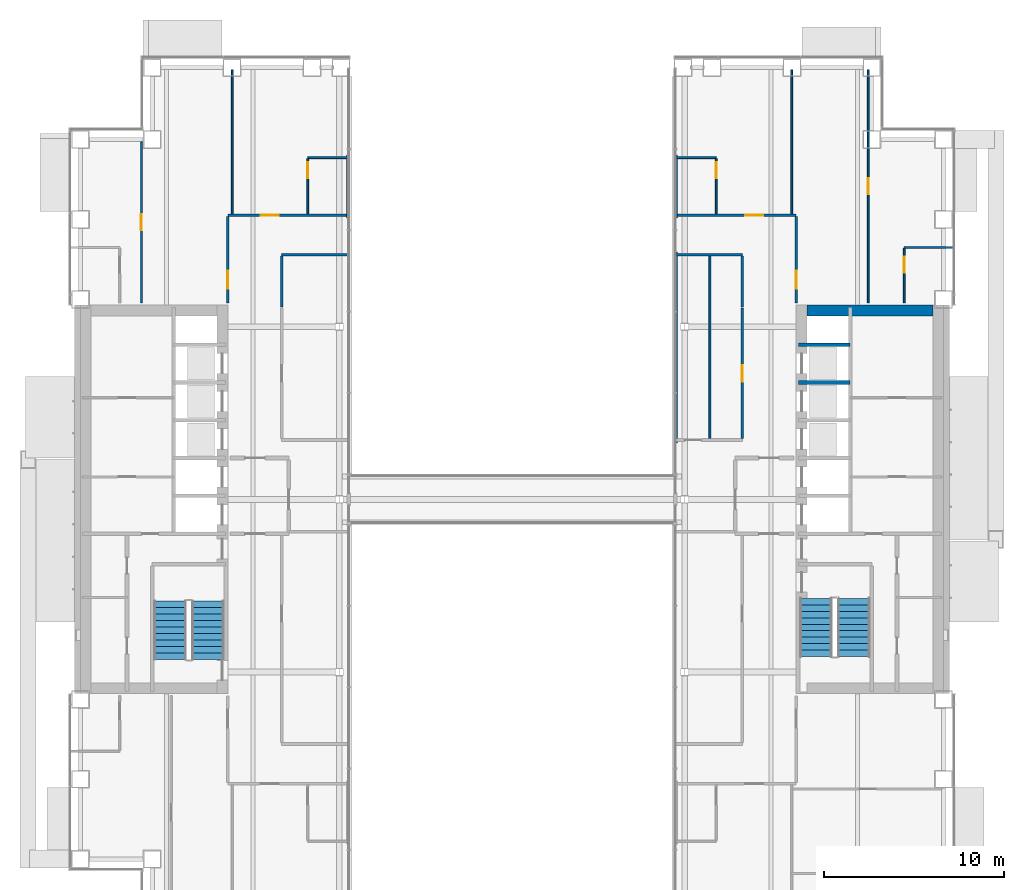
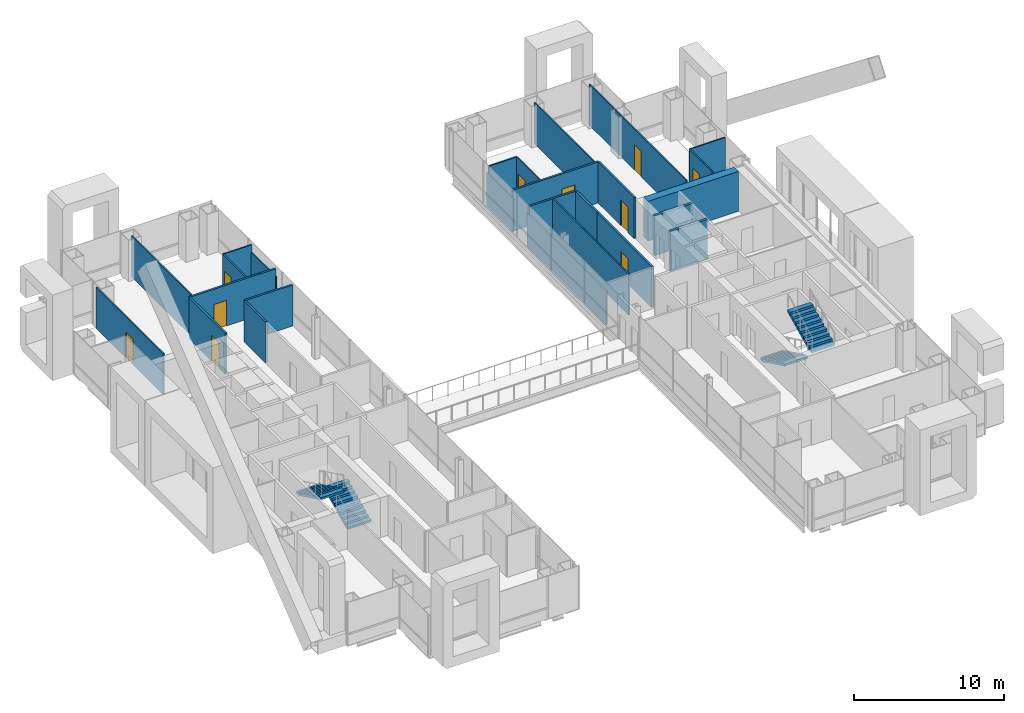
# One storey, part 20 of 26: 26 walls, 10 doors, 4 stair flights, 10 openings, 2 elements without a shape of their own.
"""IFC4 building model written with IfcOpenShell, lengths in metres."""

from ifc_helpers import new_model, si_unit, direction, frame, frame_2d, origin, place, context, subcontext, project, spatial, polyline, rectangle, outline, extrude, material, layer, layer_set, type_object, element, fill, aggregate, save


model = new_model("IFC4")

# Units and contexts
model_context = context("Model", 3, precision=1e-05, world=origin(), true_north=direction((0.0, 1.0)))
body_context = subcontext(model_context, "Body", "Model", "MODEL_VIEW")
ifc_project = project(units=[si_unit("LENGTHUNIT", "METRE"), si_unit("AREAUNIT", "SQUARE_METRE"), si_unit("VOLUMEUNIT", "CUBIC_METRE"), si_unit("PLANEANGLEUNIT", "RADIAN"), si_unit("MASSUNIT", "GRAM", prefix="KILO")], contexts=[model_context])

# Site, building, storey
site_placement = place(None, origin())
site = spatial("IfcSite", under=ifc_project, at=site_placement, CompositionType="ELEMENT")
building_placement = place(site_placement, origin())
building = spatial("IfcBuilding", under=site, at=building_placement, Name="Cobrizo Arcos Hotel Tower", CompositionType="ELEMENT")
storey_placement = place(building_placement, frame((0.0, 0.0, 67.0)))
storey = spatial("IfcBuildingStorey", under=building, at=storey_placement, Name="L15", CompositionType="ELEMENT", Elevation=67.0)

# Walls
ifc_material_1 = material(Name="Gypsum board partition")
ifc_layer_1 = layer(ifc_material_1, 0.14990234375)
ifc_layer_set_1 = layer_set([ifc_layer_1], Name="Corridor wall EI 60 150")
wall_type_1 = type_object("IfcWallType", Name="Corridor wall EI 60 150", PredefinedType="PARTITIONING", material=ifc_layer_set_1)
wall_1_placement = place(storey_placement, frame((-12.800048828125, 13.60009765625, 0.0), z_axis=(0.0, 0.0, 1.0), x_axis=(1.0, 0.0, 0.0)))
element("IfcWall", 1, at=wall_1_placement, inside=storey, type_object=wall_type_1, Name="Partition 038", PredefinedType="PARTITIONING", context=body_context, shape_type="SweptSolid", body=[
    extrude(rectangle(XDim=3.679931640625, YDim=0.14990234375, at=frame_2d((1.83984375, 0.0))), origin(), (0.0, 0.0, 1.0), 3.35009765625),
])
wall_2_placement = place(storey_placement, frame((9.14990234375, 13.60009765625, 0.0), z_axis=(0.0, 0.0, 1.0), x_axis=(1.0, 0.0, 0.0)))
element("IfcWall", 2, at=wall_2_placement, inside=storey, type_object=wall_type_1, Name="Partition 039", PredefinedType="PARTITIONING", context=body_context, shape_type="SweptSolid", body=[
    extrude(rectangle(XDim=3.650146484375, YDim=0.14990234375, at=frame_2d((1.8251953125, 0.0))), origin(), (0.0, 0.0, 1.0), 3.35009765625),
])

# Wall, opening, door
wall_3_placement = place(storey_placement, frame((-15.800048828125, 15.800048828125, 0.0), z_axis=(0.0, 0.0, 1.0), x_axis=(1.0, 0.0, 0.0)))
wall_3 = element("IfcWall", 3, at=wall_3_placement, inside=storey, type_object=wall_type_1, Name="Partition 042", PredefinedType="PARTITIONING", context=body_context, shape_type="SweptSolid", body=[
    extrude(rectangle(XDim=6.650146484375, YDim=0.14990234375, at=frame_2d((3.3251953125, 0.0))), origin(), (0.0, 0.0, 1.0), 3.35009765625),
])
opening_1_placement = place(wall_3_placement, frame((1.846923828125, 0.0, 0.0)))
opening_1 = element("IfcOpeningElement", 4, at=opening_1_placement, cuts=wall_3, Name="Opening GD-02", PredefinedType="OPENING", context=body_context, shape_type="SweptSolid", body=[
    extrude(rectangle(XDim=1.0, YDim=2.10009765625, at=frame_2d((0.5, 1.050048828125))), frame((0.0, 0.0869140625, 0.0), z_axis=(0.0, -1.0, 0.0), x_axis=(1.0, 0.0, 0.0)), (0.0, 0.0, 1.0), 0.173828125),
])
ifc_material_2 = material(Name="Timber door leaf", Category="wood")
door_type_1 = type_object("IfcDoorType", Name="Guest room door FD30S 1000x2100", OperationType="SINGLE_SWING_LEFT", PredefinedType="DOOR", material=ifc_material_2)
door_1_placement = place(opening_1_placement, origin())
door_1 = element("IfcDoor", 5, at=door_1_placement, inside=storey, type_object=door_type_1, Name="Door GD-02", OperationType="SINGLE_SWING_LEFT", OverallHeight=2.10009765625, OverallWidth=1.0, PredefinedType="DOOR", context=body_context, shape_type="SweptSolid", body=[
    extrude(rectangle(XDim=1.0, YDim=2.10009765625, at=frame_2d((0.5, 1.050048828125))), frame((0.0, 0.02490234375, 0.0), z_axis=(0.0, -1.0, 0.0), x_axis=(1.0, 0.0, 0.0)), (0.0, 0.0, 1.0), 0.050048828125),
])
fill(opening_1, door_1)

wall_4_placement = place(storey_placement, frame((9.14990234375, 15.800048828125, 0.0), z_axis=(0.0, 0.0, 1.0), x_axis=(1.0, 0.0, 0.0)))
wall_4 = element("IfcWall", 6, at=wall_4_placement, inside=storey, type_object=wall_type_1, Name="Partition 043", PredefinedType="PARTITIONING", context=body_context, shape_type="SweptSolid", body=[
    extrude(rectangle(XDim=6.650146484375, YDim=0.14990234375, at=frame_2d((3.3251953125, 0.0))), origin(), (0.0, 0.0, 1.0), 3.35009765625),
])
opening_2_placement = place(wall_4_placement, frame((3.802978515625, 0.0, 0.0)))
opening_2 = element("IfcOpeningElement", 7, at=opening_2_placement, cuts=wall_4, Name="Opening GD-01", PredefinedType="OPENING", context=body_context, shape_type="SweptSolid", body=[
    extrude(rectangle(XDim=1.0, YDim=2.10009765625, at=frame_2d((0.5, 1.050048828125))), frame((0.0, 0.0869140625, 0.0), z_axis=(0.0, -1.0, 0.0), x_axis=(1.0, 0.0, 0.0)), (0.0, 0.0, 1.0), 0.173828125),
])
door_2_placement = place(opening_2_placement, origin())
door_2 = element("IfcDoor", 8, at=door_2_placement, inside=storey, type_object=door_type_1, Name="Door GD-01", OperationType="SINGLE_SWING_RIGHT", OverallHeight=2.10009765625, OverallWidth=1.0, PredefinedType="DOOR", context=body_context, shape_type="SweptSolid", body=[
    extrude(rectangle(XDim=1.0, YDim=2.10009765625, at=frame_2d((0.5, 1.050048828125))), frame((0.0, 0.02490234375, 0.0), z_axis=(0.0, -1.0, 0.0), x_axis=(1.0, 0.0, 0.0)), (0.0, 0.0, 1.0), 0.050048828125),
])
fill(opening_2, door_2)

wall_5_placement = place(storey_placement, frame((-15.800048828125, 10.919921875, 0.0), z_axis=(0.0, 0.0, 1.0), x_axis=(0.0, 1.0, 0.0)))
wall_5 = element("IfcWall", 9, at=wall_5_placement, inside=storey, type_object=wall_type_1, Name="Partition 054", PredefinedType="PARTITIONING", context=body_context, shape_type="SweptSolid", body=[
    extrude(rectangle(XDim=4.80517578125, YDim=0.14990234375, at=frame_2d((2.402587890625, 0.0))), origin(), (0.0, 0.0, 1.0), 3.35009765625),
])
opening_3_placement = place(wall_5_placement, frame((0.780029296875, 0.0, 0.0)))
opening_3 = element("IfcOpeningElement", 10, at=opening_3_placement, cuts=wall_5, Name="Opening GD-06", PredefinedType="OPENING", context=body_context, shape_type="SweptSolid", body=[
    extrude(rectangle(XDim=1.0, YDim=2.10009765625, at=frame_2d((0.5, 1.050048828125))), frame((0.0, 0.0869140625, 0.0), z_axis=(0.0, -1.0, 0.0), x_axis=(1.0, 0.0, 0.0)), (0.0, 0.0, 1.0), 0.173828125),
])
door_3_placement = place(opening_3_placement, origin())
door_3 = element("IfcDoor", 11, at=door_3_placement, inside=storey, type_object=door_type_1, Name="Door GD-06", OperationType="SINGLE_SWING_RIGHT", OverallHeight=2.10009765625, OverallWidth=1.0, PredefinedType="DOOR", context=body_context, shape_type="SweptSolid", body=[
    extrude(rectangle(XDim=1.0, YDim=2.10009765625, at=frame_2d((0.5, 1.050048828125))), frame((0.0, 0.02490234375, 0.0), z_axis=(0.0, -1.0, 0.0), x_axis=(1.0, 0.0, 0.0)), (0.0, 0.0, 1.0), 0.050048828125),
])
fill(opening_3, door_3)

# Wall
wall_6_placement = place(storey_placement, frame((-12.800048828125, 10.699951171875, 0.0), z_axis=(0.0, 0.0, 1.0), x_axis=(0.0, 1.0, 0.0)))
element("IfcWall", 12, at=wall_6_placement, inside=storey, type_object=wall_type_1, Name="Partition 059", PredefinedType="PARTITIONING", context=body_context, shape_type="SweptSolid", body=[
    extrude(rectangle(XDim=2.824951171875, YDim=0.14990234375, at=frame_2d((1.41259765625, 0.0))), origin(), (0.0, 0.0, 1.0), 3.35009765625),
])

# Wall, opening, door
wall_7_placement = place(storey_placement, frame((12.800048828125, 3.375, 0.0), z_axis=(0.0, 0.0, 1.0), x_axis=(0.0, 1.0, 0.0)))
wall_7 = element("IfcWall", 13, at=wall_7_placement, inside=storey, type_object=wall_type_1, Name="Partition 073", PredefinedType="PARTITIONING", context=body_context, shape_type="SweptSolid", body=[
    extrude(rectangle(XDim=7.27490234375, YDim=0.14990234375, at=frame_2d((3.637451171875, 0.0))), origin(), (0.0, 0.0, 1.0), 3.35009765625),
])
opening_4_placement = place(wall_7_placement, frame((3.175048828125, 0.0, 0.0)))
opening_4 = element("IfcOpeningElement", 14, at=opening_4_placement, cuts=wall_7, Name="Opening ED-10", PredefinedType="OPENING", context=body_context, shape_type="SweptSolid", body=[
    extrude(rectangle(XDim=0.89990234375, YDim=2.10009765625, at=frame_2d((0.449951171875, 1.050048828125))), frame((0.0, 0.0869140625, 0.0), z_axis=(0.0, -1.0, 0.0), x_axis=(1.0, 0.0, 0.0)), (0.0, 0.0, 1.0), 0.173828125),
])
door_type_2 = type_object("IfcDoorType", Name="En-suite door 900x2100", OperationType="SINGLE_SWING_LEFT", PredefinedType="DOOR", material=ifc_material_2)
door_4_placement = place(opening_4_placement, origin())
door_4 = element("IfcDoor", 15, at=door_4_placement, inside=storey, type_object=door_type_2, Name="Door ED-10", OperationType="SINGLE_SWING_RIGHT", OverallHeight=2.10009765625, OverallWidth=0.89990234375, PredefinedType="DOOR", context=body_context, shape_type="SweptSolid", body=[
    extrude(rectangle(XDim=0.89990234375, YDim=2.10009765625, at=frame_2d((0.449951171875, 1.050048828125))), frame((0.0, 0.02490234375, 0.0), z_axis=(0.0, -1.0, 0.0), x_axis=(1.0, 0.0, 0.0)), (0.0, 0.0, 1.0), 0.050048828125),
])
fill(opening_4, door_4)

# Wall
wall_8_placement = place(storey_placement, frame((12.800048828125, 10.699951171875, 0.0), z_axis=(0.0, 0.0, 1.0), x_axis=(0.0, 1.0, 0.0)))
element("IfcWall", 16, at=wall_8_placement, inside=storey, type_object=wall_type_1, Name="Partition 074", PredefinedType="PARTITIONING", context=body_context, shape_type="SweptSolid", body=[
    extrude(rectangle(XDim=2.824951171875, YDim=0.14990234375, at=frame_2d((1.41259765625, 0.0))), origin(), (0.0, 0.0, 1.0), 3.35009765625),
])

# Wall, opening, door
wall_9_placement = place(storey_placement, frame((15.800048828125, 10.919921875, 0.0), z_axis=(0.0, 0.0, 1.0), x_axis=(0.0, 1.0, 0.0)))
wall_9 = element("IfcWall", 17, at=wall_9_placement, inside=storey, type_object=wall_type_1, Name="Partition 078", PredefinedType="PARTITIONING", context=body_context, shape_type="SweptSolid", body=[
    extrude(rectangle(XDim=4.80517578125, YDim=0.14990234375, at=frame_2d((2.402587890625, 0.0))), origin(), (0.0, 0.0, 1.0), 3.35009765625),
])
opening_5_placement = place(wall_9_placement, frame((0.780029296875, 0.0, 0.0)))
opening_5 = element("IfcOpeningElement", 18, at=opening_5_placement, cuts=wall_9, Name="Opening GD-08", PredefinedType="OPENING", context=body_context, shape_type="SweptSolid", body=[
    extrude(rectangle(XDim=1.0, YDim=2.10009765625, at=frame_2d((0.5, 1.050048828125))), frame((0.0, 0.0869140625, 0.0), z_axis=(0.0, -1.0, 0.0), x_axis=(1.0, 0.0, 0.0)), (0.0, 0.0, 1.0), 0.173828125),
])
door_5_placement = place(opening_5_placement, origin())
door_5 = element("IfcDoor", 19, at=door_5_placement, inside=storey, type_object=door_type_1, Name="Door GD-08", OperationType="SINGLE_SWING_LEFT", OverallHeight=2.10009765625, OverallWidth=1.0, PredefinedType="DOOR", context=body_context, shape_type="SweptSolid", body=[
    extrude(rectangle(XDim=1.0, YDim=2.10009765625, at=frame_2d((0.5, 1.050048828125))), frame((0.0, 0.02490234375, 0.0), z_axis=(0.0, -1.0, 0.0), x_axis=(1.0, 0.0, 0.0)), (0.0, 0.0, 1.0), 0.050048828125),
])
fill(opening_5, door_5)

# Walls
ifc_layer_2 = layer(ifc_material_1, 0.10009765625)
ifc_layer_set_2 = layer_set([ifc_layer_2], Name="Partition EI 30 100")
wall_type_2 = type_object("IfcWallType", Name="Partition EI 30 100", PredefinedType="PARTITIONING", material=ifc_layer_set_2)
wall_10_placement = place(storey_placement, frame((21.800048828125, 14.0, 0.0), z_axis=(0.0, 0.0, 1.0), x_axis=(1.0, 0.0, 0.0)))
element("IfcWall", 20, at=wall_10_placement, inside=storey, type_object=wall_type_2, Name="Partition 041", PredefinedType="PARTITIONING", context=body_context, shape_type="SweptSolid", body=[
    extrude(rectangle(XDim=2.72998046875, YDim=0.10009765625, at=frame_2d((1.364990234375, 0.0))), origin(), (0.0, 0.0, 1.0), 3.35009765625),
])
for number, where, z_axis, x_axis, name in (
    (21, (-11.35009765625, 19.0, 0.0), (0.0, 0.0, 1.0), (1.0, 0.0, 0.0), "Partition 044"),
    (22, (9.14990234375, 19.0, 0.0), (0.0, 0.0, 1.0), (1.0, 0.0, 0.0), "Partition 045"),
):
    element("IfcWall", number, at=place(storey_placement, frame(where, z_axis=z_axis, x_axis=x_axis)), inside=storey, type_object=wall_type_2, Name=name, PredefinedType="PARTITIONING", context=body_context, shape_type="SweptSolid", body=[
        extrude(rectangle(XDim=2.2001953125, YDim=0.10009765625, at=frame_2d((1.10009765625, 0.0))), origin(), (0.0, 0.0, 1.0), 3.35009765625),
    ])

# Wall, opening, door
wall_11_placement = place(storey_placement, frame((-20.60009765625, 10.919921875, 0.0), z_axis=(0.0, 0.0, 1.0), x_axis=(0.0, 1.0, 0.0)))
wall_11 = element("IfcWall", 23, at=wall_11_placement, inside=storey, type_object=wall_type_2, Name="Partition 049", PredefinedType="PARTITIONING", context=body_context, shape_type="SweptSolid", body=[
    extrude(rectangle(XDim=8.9599609375, YDim=0.10009765625, at=frame_2d((4.47998046875, 0.0))), origin(), (0.0, 0.0, 1.0), 3.35009765625),
])
opening_6_placement = place(wall_11_placement, frame((4.030029296875, 0.0, 0.0)))
opening_6 = element("IfcOpeningElement", 24, at=opening_6_placement, cuts=wall_11, Name="Opening RD-12", PredefinedType="OPENING", context=body_context, shape_type="SweptSolid", body=[
    extrude(rectangle(XDim=0.89990234375, YDim=2.10009765625, at=frame_2d((0.449951171875, 1.050048828125))), frame((0.0, 0.06201171875, 0.0), z_axis=(0.0, -1.0, 0.0), x_axis=(1.0, 0.0, 0.0)), (0.0, 0.0, 1.0), 0.1240234375),
])
door_type_3 = type_object("IfcDoorType", Name="Room door FD30 900x2100", OperationType="SINGLE_SWING_LEFT", PredefinedType="DOOR", material=ifc_material_2)
door_6_placement = place(opening_6_placement, origin())
door_6 = element("IfcDoor", 25, at=door_6_placement, inside=storey, type_object=door_type_3, Name="Door RD-12", OperationType="SINGLE_SWING_RIGHT", OverallHeight=2.10009765625, OverallWidth=0.89990234375, PredefinedType="DOOR", context=body_context, shape_type="SweptSolid", body=[
    extrude(rectangle(XDim=0.89990234375, YDim=2.10009765625, at=frame_2d((0.449951171875, 1.050048828125))), frame((0.0, 0.02490234375, 0.0), z_axis=(0.0, -1.0, 0.0), x_axis=(1.0, 0.0, 0.0)), (0.0, 0.0, 1.0), 0.050048828125),
])
fill(opening_6, door_6)

# Wall
wall_12_placement = place(storey_placement, frame((-15.550048828125, 15.875, 0.0), z_axis=(0.0, 0.0, 1.0), x_axis=(0.0, 1.0, 0.0)))
element("IfcWall", 26, at=wall_12_placement, inside=storey, type_object=wall_type_2, Name="Partition 056", PredefinedType="PARTITIONING", context=body_context, shape_type="SweptSolid", body=[
    extrude(rectangle(XDim=8.0048828125, YDim=0.10009765625, at=frame_2d((4.00244140625, 0.0))), origin(), (0.0, 0.0, 1.0), 3.35009765625),
])

# Wall, opening, door
wall_13_placement = place(storey_placement, frame((-11.35009765625, 15.875, 0.0), z_axis=(0.0, 0.0, 1.0), x_axis=(0.0, 1.0, 0.0)))
wall_13 = element("IfcWall", 27, at=wall_13_placement, inside=storey, type_object=wall_type_2, Name="Partition 062", PredefinedType="PARTITIONING", context=body_context, shape_type="SweptSolid", body=[
    extrude(rectangle(XDim=3.074951171875, YDim=0.10009765625, at=frame_2d((1.53759765625, 0.0))), origin(), (0.0, 0.0, 1.0), 3.35009765625),
])
opening_7_placement = place(wall_13_placement, frame((1.970947265625, 0.0, 0.0)))
opening_7 = element("IfcOpeningElement", 28, at=opening_7_placement, cuts=wall_13, Name="Opening ED-02", PredefinedType="OPENING", context=body_context, shape_type="SweptSolid", body=[
    extrude(rectangle(XDim=0.89990234375, YDim=2.10009765625, at=frame_2d((0.449951171875, 1.050048828125))), frame((0.0, 0.06201171875, 0.0), z_axis=(0.0, -1.0, 0.0), x_axis=(1.0, 0.0, 0.0)), (0.0, 0.0, 1.0), 0.1240234375),
])
door_7_placement = place(opening_7_placement, origin())
door_7 = element("IfcDoor", 29, at=door_7_placement, inside=storey, type_object=door_type_2, Name="Door ED-02", OperationType="SINGLE_SWING_LEFT", OverallHeight=2.10009765625, OverallWidth=0.89990234375, PredefinedType="DOOR", context=body_context, shape_type="SweptSolid", body=[
    extrude(rectangle(XDim=0.89990234375, YDim=2.10009765625, at=frame_2d((0.449951171875, 1.050048828125))), frame((0.0, 0.02490234375, 0.0), z_axis=(0.0, -1.0, 0.0), x_axis=(1.0, 0.0, 0.0)), (0.0, 0.0, 1.0), 0.050048828125),
])
fill(opening_7, door_7)

# Walls
wall_14_placement = place(storey_placement, frame((-9.14990234375, 15.659912109375, 0.0), z_axis=(0.0, 0.0, 1.0), x_axis=(0.0, 1.0, 0.0)))
element("IfcWall", 30, at=wall_14_placement, inside=storey, type_object=wall_type_2, Name="Partition 064", PredefinedType="PARTITIONING", context=body_context, shape_type="SweptSolid", body=[
    extrude(rectangle(XDim=3.47998046875, YDim=0.10009765625, at=frame_2d((1.739990234375, 0.0))), origin(), (0.0, 0.0, 1.0), 2.73291015625),
])
wall_15_placement = place(storey_placement, frame((9.14990234375, 3.159912109375, 0.0), z_axis=(0.0, 0.0, 1.0), x_axis=(0.0, 1.0, 0.0)))
element("IfcWall", 31, at=wall_15_placement, inside=storey, type_object=wall_type_2, Name="Partition 066", PredefinedType="PARTITIONING", context=body_context, shape_type="SweptSolid", body=[
    extrude(rectangle(XDim=10.580078125, YDim=0.10009765625, at=frame_2d((5.2900390625, 0.0))), origin(), (0.0, 0.0, 1.0), 2.73291015625),
])
wall_16_placement = place(storey_placement, frame((9.14990234375, 15.659912109375, 0.0), z_axis=(0.0, 0.0, 1.0), x_axis=(0.0, 1.0, 0.0)))
element("IfcWall", 32, at=wall_16_placement, inside=storey, type_object=wall_type_2, Name="Partition 067", PredefinedType="PARTITIONING", context=body_context, shape_type="SweptSolid", body=[
    extrude(rectangle(XDim=3.47998046875, YDim=0.10009765625, at=frame_2d((1.739990234375, 0.0))), origin(), (0.0, 0.0, 1.0), 2.73291015625),
])
wall_17_placement = place(storey_placement, frame((11.0, 3.375, 0.0), z_axis=(0.0, 0.0, 1.0), x_axis=(0.0, 1.0, 0.0)))
element("IfcWall", 33, at=wall_17_placement, inside=storey, type_object=wall_type_2, Name="Partition 068", PredefinedType="PARTITIONING", context=body_context, shape_type="SweptSolid", body=[
    extrude(rectangle(XDim=10.14990234375, YDim=0.10009765625, at=frame_2d((5.074951171875, 0.0))), origin(), (0.0, 0.0, 1.0), 3.35009765625),
])

# Wall, opening, door
wall_18_placement = place(storey_placement, frame((11.35009765625, 15.875, 0.0), z_axis=(0.0, 0.0, 1.0), x_axis=(0.0, 1.0, 0.0)))
wall_18 = element("IfcWall", 34, at=wall_18_placement, inside=storey, type_object=wall_type_2, Name="Partition 070", PredefinedType="PARTITIONING", context=body_context, shape_type="SweptSolid", body=[
    extrude(rectangle(XDim=3.074951171875, YDim=0.10009765625, at=frame_2d((1.53759765625, 0.0))), origin(), (0.0, 0.0, 1.0), 3.35009765625),
])
opening_8_placement = place(wall_18_placement, frame((1.970947265625, 0.0, 0.0)))
opening_8 = element("IfcOpeningElement", 35, at=opening_8_placement, cuts=wall_18, Name="Opening ED-01", PredefinedType="OPENING", context=body_context, shape_type="SweptSolid", body=[
    extrude(rectangle(XDim=0.89990234375, YDim=2.10009765625, at=frame_2d((0.449951171875, 1.050048828125))), frame((0.0, 0.06201171875, 0.0), z_axis=(0.0, -1.0, 0.0), x_axis=(1.0, 0.0, 0.0)), (0.0, 0.0, 1.0), 0.1240234375),
])
door_8_placement = place(opening_8_placement, origin())
door_8 = element("IfcDoor", 36, at=door_8_placement, inside=storey, type_object=door_type_2, Name="Door ED-01", OperationType="SINGLE_SWING_LEFT", OverallHeight=2.10009765625, OverallWidth=0.89990234375, PredefinedType="DOOR", context=body_context, shape_type="SweptSolid", body=[
    extrude(rectangle(XDim=0.89990234375, YDim=2.10009765625, at=frame_2d((0.449951171875, 1.050048828125))), frame((0.0, 0.02490234375, 0.0), z_axis=(0.0, -1.0, 0.0), x_axis=(1.0, 0.0, 0.0)), (0.0, 0.0, 1.0), 0.050048828125),
])
fill(opening_8, door_8)

# Wall
wall_19_placement = place(storey_placement, frame((15.550048828125, 15.875, 0.0), z_axis=(0.0, 0.0, 1.0), x_axis=(0.0, 1.0, 0.0)))
element("IfcWall", 37, at=wall_19_placement, inside=storey, type_object=wall_type_2, Name="Partition 076", PredefinedType="PARTITIONING", context=body_context, shape_type="SweptSolid", body=[
    extrude(rectangle(XDim=8.0048828125, YDim=0.10009765625, at=frame_2d((4.00244140625, 0.0))), origin(), (0.0, 0.0, 1.0), 3.35009765625),
])

# Wall, opening, door
wall_20_placement = place(storey_placement, frame((19.800048828125, 10.919921875, 0.0), z_axis=(0.0, 0.0, 1.0), x_axis=(0.0, 1.0, 0.0)))
wall_20 = element("IfcWall", 38, at=wall_20_placement, inside=storey, type_object=wall_type_2, Name="Partition 081", PredefinedType="PARTITIONING", context=body_context, shape_type="SweptSolid", body=[
    extrude(rectangle(XDim=12.9599609375, YDim=0.10009765625, at=frame_2d((6.47998046875, 0.0))), origin(), (0.0, 0.0, 1.0), 3.35009765625),
])
opening_9_placement = place(wall_20_placement, frame((6.030029296875, 0.0, 0.0)))
opening_9 = element("IfcOpeningElement", 39, at=opening_9_placement, cuts=wall_20, Name="Opening RD-14", PredefinedType="OPENING", context=body_context, shape_type="SweptSolid", body=[
    extrude(rectangle(XDim=0.89990234375, YDim=2.10009765625, at=frame_2d((0.449951171875, 1.050048828125))), frame((0.0, 0.06201171875, 0.0), z_axis=(0.0, -1.0, 0.0), x_axis=(1.0, 0.0, 0.0)), (0.0, 0.0, 1.0), 0.1240234375),
])
door_9_placement = place(opening_9_placement, origin())
door_9 = element("IfcDoor", 40, at=door_9_placement, inside=storey, type_object=door_type_3, Name="Door RD-14", OperationType="SINGLE_SWING_LEFT", OverallHeight=2.10009765625, OverallWidth=0.89990234375, PredefinedType="DOOR", context=body_context, shape_type="SweptSolid", body=[
    extrude(rectangle(XDim=0.89990234375, YDim=2.10009765625, at=frame_2d((0.449951171875, 1.050048828125))), frame((0.0, 0.02490234375, 0.0), z_axis=(0.0, -1.0, 0.0), x_axis=(1.0, 0.0, 0.0)), (0.0, 0.0, 1.0), 0.050048828125),
])
fill(opening_9, door_9)

wall_21_placement = place(storey_placement, frame((21.800048828125, 10.919921875, 0.0), z_axis=(0.0, 0.0, 1.0), x_axis=(0.0, 1.0, 0.0)))
wall_21 = element("IfcWall", 41, at=wall_21_placement, inside=storey, type_object=wall_type_2, Name="Partition 084", PredefinedType="PARTITIONING", context=body_context, shape_type="SweptSolid", body=[
    extrude(rectangle(XDim=3.030029296875, YDim=0.10009765625, at=frame_2d((1.51513671875, 0.0))), origin(), (0.0, 0.0, 1.0), 3.35009765625),
])
opening_10_placement = place(wall_21_placement, frame((1.669921875, 0.0, 0.0)))
opening_10 = element("IfcOpeningElement", 42, at=opening_10_placement, cuts=wall_21, Name="Opening ED-08", PredefinedType="OPENING", context=body_context, shape_type="SweptSolid", body=[
    extrude(rectangle(XDim=0.89990234375, YDim=2.10009765625, at=frame_2d((0.449951171875, 1.050048828125))), frame((0.0, 0.06201171875, 0.0), z_axis=(0.0, -1.0, 0.0), x_axis=(1.0, 0.0, 0.0)), (0.0, 0.0, 1.0), 0.1240234375),
])
door_10_placement = place(opening_10_placement, origin())
door_10 = element("IfcDoor", 43, at=door_10_placement, inside=storey, type_object=door_type_2, Name="Door ED-08", OperationType="SINGLE_SWING_RIGHT", OverallHeight=2.10009765625, OverallWidth=0.89990234375, PredefinedType="DOOR", context=body_context, shape_type="SweptSolid", body=[
    extrude(rectangle(XDim=0.89990234375, YDim=2.10009765625, at=frame_2d((0.449951171875, 1.050048828125))), frame((0.0, 0.02490234375, 0.0), z_axis=(0.0, -1.0, 0.0), x_axis=(1.0, 0.0, 0.0)), (0.0, 0.0, 1.0), 0.050048828125),
])
fill(opening_10, door_10)

# Walls
ifc_material_3 = material(Name="Concrete f'c 60 MPa", Category="concrete")
ifc_layer_3 = layer(ifc_material_3, 0.60009765625)
ifc_layer_set_3 = layer_set([ifc_layer_3], Name="RC core wall 600 f'c 60")
wall_type_3 = type_object("IfcWallType", Name="RC core wall 600 f'c 60", PredefinedType="SHEAR", material=ifc_layer_set_3)
wall_22_placement = place(storey_placement, frame((16.39990234375, 10.5, 0.0), z_axis=(0.0, 0.0, 1.0), x_axis=(1.0, 0.0, 0.0)))
element("IfcWall", 44, at=wall_22_placement, inside=storey, type_object=wall_type_3, Name="Core wall CW1, east core, north end, L15", PredefinedType="SHEAR", context=body_context, shape_type="SweptSolid", body=[
    extrude(rectangle(XDim=7.0, YDim=0.60009765625, at=frame_2d((3.5, 0.0))), origin(), (0.0, 0.0, 1.0), 3.25),
])
ifc_layer_4 = layer(ifc_material_1, 0.199951171875)
ifc_layer_set_4 = layer_set([ifc_layer_4], Name="Shaft wall EI 120 200")
wall_type_4 = type_object("IfcWallType", Name="Shaft wall EI 120 200", PredefinedType="PARTITIONING", material=ifc_layer_set_4)
for number, where, z_axis, x_axis, name in (
    (45, (15.919921875, 6.5, 0.0), (0.0, 0.0, 1.0), (1.0, 0.0, 0.0), "Partition 035"),
    (46, (15.919921875, 8.60009765625, 0.0), (0.0, 0.0, 1.0), (1.0, 0.0, 0.0), "Partition 037"),
):
    element("IfcWall", number, at=place(storey_placement, frame(where, z_axis=z_axis, x_axis=x_axis)), inside=storey, type_object=wall_type_4, Name=name, PredefinedType="PARTITIONING", context=body_context, shape_type="SweptSolid", body=[
        extrude(rectangle(XDim=2.880126953125, YDim=0.199951171875, at=frame_2d((1.43994140625, 0.0))), origin(), (0.0, 0.0, 1.0), 3.25),
    ])

# Stair, stair flights
ifc_material_4 = material(Name="Concrete f'c 40 MPa", Category="concrete")
stair_type = type_object("IfcStairType", Name="Exit stair", PredefinedType="HALF_TURN_STAIR", material=ifc_material_4)
stair_1_placement = place(storey_placement, origin())
stair_1 = element("IfcStair", 47, at=stair_1_placement, inside=storey, type_object=stair_type, Name="L15 Exit stair ST-W", PredefinedType="HALF_TURN_STAIR")
stair_flight_type = type_object("IfcStairFlightType", Name="Exit stair flight", PredefinedType="STRAIGHT", material=ifc_material_4)
stair_flight_1_placement = place(storey_placement, frame((-16.89990234375, -8.89990234375, 0.0), z_axis=(0.0, 0.0, 1.0), x_axis=(0.0, 1.0, 0.0)))
stair_flight_1 = element("IfcStairFlight", 48, at=stair_flight_1_placement, type_object=stair_flight_type, Name="ST-W flight 1", NumberOfRisers=10, NumberOfTreads=9, PredefinedType="STRAIGHT", RiserHeight=0.175, TreadLength=0.36, context=body_context, shape_type="SweptSolid", body=[
    extrude(outline(polyline([(0.0, 0.0), (0.0, 0.175048828125), (0.360107421875, 0.175048828125), (0.360107421875, 0.35009765625), (0.719970703125, 0.35009765625), (0.719970703125, 0.52490234375), (1.080078125, 0.52490234375), (1.080078125, 0.699951171875), (1.43994140625, 0.699951171875), (1.43994140625, 0.875), (1.800048828125, 0.875), (1.800048828125, 1.050048828125), (2.159912109375, 1.050048828125), (2.159912109375, 1.22509765625), (2.52001953125, 1.22509765625), (2.52001953125, 1.39990234375), (2.8798828125, 1.39990234375), (2.8798828125, 1.574951171875), (3.239990234375, 1.574951171875), (3.239990234375, 1.75), (3.239990234375, 1.408203125), (0.3427734375, 0.0), (0.0, 0.0)])), frame((0.0, 0.89990234375, 0.0), z_axis=(0.0, -1.0, 0.0), x_axis=(1.0, 0.0, 0.0)), (0.0, 0.0, 1.0), 1.800048828125),
])
stair_flight_2_placement = place(storey_placement, frame((-19.0, -5.659912109375, 1.75), z_axis=(0.0, 0.0, 1.0), x_axis=(0.0, -1.0, 0.0)))
stair_flight_2 = element("IfcStairFlight", 49, at=stair_flight_2_placement, type_object=stair_flight_type, Name="ST-W flight 2", NumberOfRisers=10, NumberOfTreads=9, PredefinedType="STRAIGHT", RiserHeight=0.175, TreadLength=0.36, context=body_context, shape_type="SweptSolid", body=[
    extrude(outline(polyline([(0.0, 0.0), (0.0, 0.175048828125), (0.360107421875, 0.175048828125), (0.360107421875, 0.35009765625), (0.719970703125, 0.35009765625), (0.719970703125, 0.52490234375), (1.080078125, 0.52490234375), (1.080078125, 0.699951171875), (1.43994140625, 0.699951171875), (1.43994140625, 0.875), (1.800048828125, 0.875), (1.800048828125, 1.050048828125), (2.159912109375, 1.050048828125), (2.159912109375, 1.22509765625), (2.52001953125, 1.22509765625), (2.52001953125, 1.39990234375), (2.8798828125, 1.39990234375), (2.8798828125, 1.574951171875), (3.239990234375, 1.574951171875), (3.239990234375, 1.75), (3.239990234375, 1.408203125), (0.3427734375, 0.0), (0.0, 0.0)])), frame((0.0, 0.89990234375, 0.0), z_axis=(0.0, -1.0, 0.0), x_axis=(1.0, 0.0, 0.0)), (0.0, 0.0, 1.0), 1.800048828125),
])
aggregate(stair_1, [stair_flight_1, stair_flight_2])

stair_2_placement = place(storey_placement, origin())
stair_2 = element("IfcStair", 50, at=stair_2_placement, inside=storey, type_object=stair_type, Name="L15 Exit stair ST-E", PredefinedType="HALF_TURN_STAIR")
stair_flight_3_placement = place(storey_placement, frame((16.89990234375, -5.5, 0.0), z_axis=(0.0, 0.0, 1.0), x_axis=(0.0, -1.0, 0.0)))
stair_flight_3 = element("IfcStairFlight", 51, at=stair_flight_3_placement, type_object=stair_flight_type, Name="ST-E flight 1", NumberOfRisers=10, NumberOfTreads=9, PredefinedType="STRAIGHT", RiserHeight=0.175, TreadLength=0.36, context=body_context, shape_type="SweptSolid", body=[
    extrude(outline(polyline([(0.0, 0.0), (0.0, 0.175048828125), (0.360107421875, 0.175048828125), (0.360107421875, 0.35009765625), (0.719970703125, 0.35009765625), (0.719970703125, 0.52490234375), (1.080078125, 0.52490234375), (1.080078125, 0.699951171875), (1.43994140625, 0.699951171875), (1.43994140625, 0.875), (1.800048828125, 0.875), (1.800048828125, 1.050048828125), (2.159912109375, 1.050048828125), (2.159912109375, 1.22509765625), (2.52001953125, 1.22509765625), (2.52001953125, 1.39990234375), (2.8798828125, 1.39990234375), (2.8798828125, 1.574951171875), (3.239990234375, 1.574951171875), (3.239990234375, 1.75), (3.239990234375, 1.408203125), (0.3427734375, 0.0), (0.0, 0.0)])), frame((0.0, 0.89990234375, 0.0), z_axis=(0.0, -1.0, 0.0), x_axis=(1.0, 0.0, 0.0)), (0.0, 0.0, 1.0), 1.800048828125),
])
stair_flight_4_placement = place(storey_placement, frame((19.0, -8.739990234375, 1.75), z_axis=(0.0, 0.0, 1.0), x_axis=(0.0, 1.0, 0.0)))
stair_flight_4 = element("IfcStairFlight", 52, at=stair_flight_4_placement, type_object=stair_flight_type, Name="ST-E flight 2", NumberOfRisers=10, NumberOfTreads=9, PredefinedType="STRAIGHT", RiserHeight=0.175, TreadLength=0.36, context=body_context, shape_type="SweptSolid", body=[
    extrude(outline(polyline([(0.0, 0.0), (0.0, 0.175048828125), (0.360107421875, 0.175048828125), (0.360107421875, 0.35009765625), (0.719970703125, 0.35009765625), (0.719970703125, 0.52490234375), (1.080078125, 0.52490234375), (1.080078125, 0.699951171875), (1.43994140625, 0.699951171875), (1.43994140625, 0.875), (1.800048828125, 0.875), (1.800048828125, 1.050048828125), (2.159912109375, 1.050048828125), (2.159912109375, 1.22509765625), (2.52001953125, 1.22509765625), (2.52001953125, 1.39990234375), (2.8798828125, 1.39990234375), (2.8798828125, 1.574951171875), (3.239990234375, 1.574951171875), (3.239990234375, 1.75), (3.239990234375, 1.408203125), (0.3427734375, 0.0), (0.0, 0.0)])), frame((0.0, 0.89990234375, 0.0), z_axis=(0.0, -1.0, 0.0), x_axis=(1.0, 0.0, 0.0)), (0.0, 0.0, 1.0), 1.800048828125),
])
aggregate(stair_2, [stair_flight_3, stair_flight_4])

save(model, "model.ifc")
